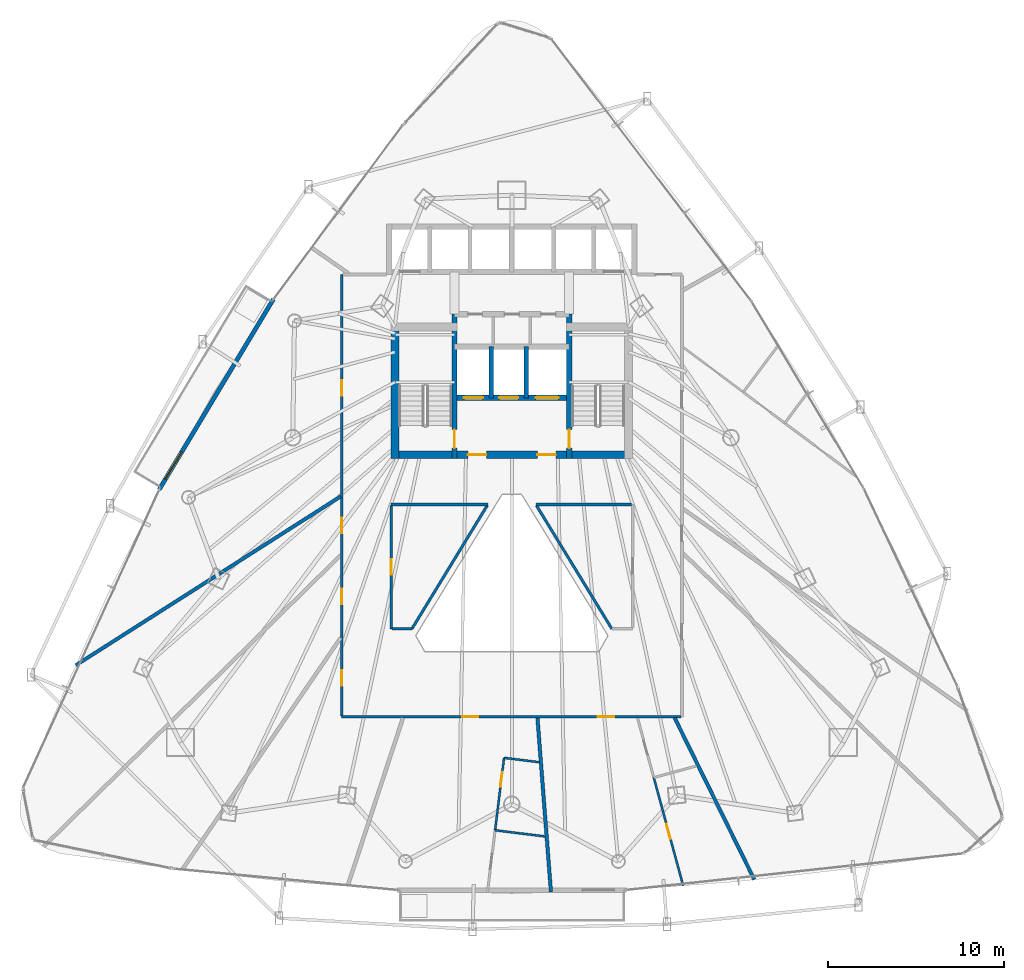
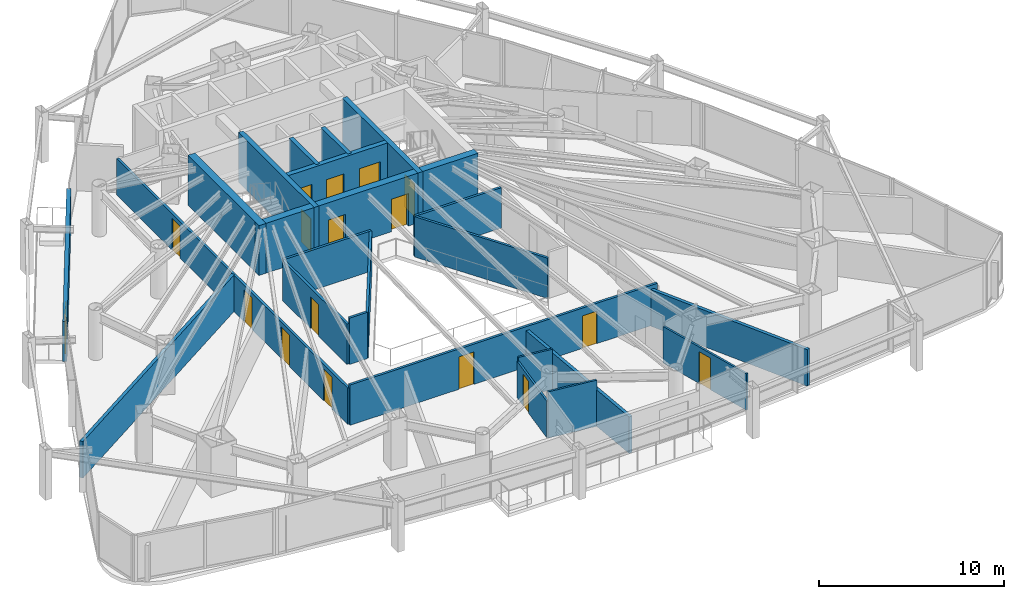
# One storey, part 29 of 34: 23 walls, 17 doors, 17 openings.
"""IFC4 building model written with IfcOpenShell, lengths in metres."""

from ifc_helpers import new_model, si_unit, direction, frame, frame_2d, origin, place, context, subcontext, project, spatial, rectangle, extrude, material, layer, layer_set, type_object, element, fill, save


model = new_model("IFC4")

# Units and contexts
model_context = context("Model", 3, precision=1e-05, world=origin(), true_north=direction((0.0, 1.0)))
body_context = subcontext(model_context, "Body", "Model", "MODEL_VIEW")
ifc_project = project(units=[si_unit("LENGTHUNIT", "METRE"), si_unit("AREAUNIT", "SQUARE_METRE"), si_unit("VOLUMEUNIT", "CUBIC_METRE"), si_unit("PLANEANGLEUNIT", "RADIAN"), si_unit("MASSUNIT", "GRAM", prefix="KILO")], contexts=[model_context])

# Site, building, storey
site_placement = place(None, origin())
site = spatial("IfcSite", under=ifc_project, at=site_placement, CompositionType="ELEMENT")
building_placement = place(site_placement, origin())
building = spatial("IfcBuilding", under=site, at=building_placement, Name="Orvanel Arch Residences", CompositionType="ELEMENT")
storey_placement = place(building_placement, frame((0.0, 0.0, 64.25)))
storey = spatial("IfcBuildingStorey", under=building, at=storey_placement, Name="L17", CompositionType="ELEMENT", Elevation=64.25)

# Wall, opening, door
ifc_material_1 = material(Name="Precast concrete N50 (50 MPa)", Category="concrete")
ifc_layer_1 = layer(ifc_material_1, 0.239990234375)
ifc_layer_set_1 = layer_set([ifc_layer_1], Name="Precast concrete N50 (50 MPa)")
wall_type_1 = type_object("IfcWallType", Name="EW-BAL-240", PredefinedType="SOLIDWALL", material=ifc_layer_set_1)
wall_1_placement = place(storey_placement, frame((19.472900390625, 35.5009765625, 0.0), z_axis=(0.0, 0.0, 1.0), x_axis=(-0.514333361126, -0.857590341382, 0.0)))
wall_1 = element("IfcWall", 1, at=wall_1_placement, inside=storey, type_object=wall_type_1, Name="L17 Balcony Threshold Wall Face 1", PredefinedType="SOLIDWALL", context=body_context, shape_type="SweptSolid", body=[
    extrude(rectangle(XDim=12.6025390625, YDim=0.239990234375, at=frame_2d((6.30126953125, 0.0))), origin(), (0.0, 0.0, 1.0), 2.6240234375),
])
opening_1_placement = place(wall_1_placement, frame((10.10498046875, 0.0, 0.0)))
opening_1 = element("IfcOpeningElement", 2, at=opening_1_placement, cuts=wall_1, Name="Opening DB-180", PredefinedType="OPENING", context=body_context, shape_type="SweptSolid", body=[
    extrude(rectangle(XDim=1.800048828125, YDim=2.199951171875, at=frame_2d((0.89990234375, 1.10009765625))), frame((0.0, 0.1298828125, 0.0), z_axis=(0.0, -1.0, 0.0), x_axis=(1.0, 0.0, 0.0)), (0.0, 0.0, 1.0), 0.260009765625),
])
ifc_material_2 = material(Name="Bronze-anodised aluminium AA6063-T6", Category="aluminium")
door_type_1 = type_object("IfcDoorType", Name="DR-BAL-1800", OperationType="NOTDEFINED", PredefinedType="DOOR", material=ifc_material_2)
door_1_placement = place(opening_1_placement, origin())
door_1 = element("IfcDoor", 3, at=door_1_placement, inside=storey, type_object=door_type_1, Name="DR-L17-BAL-F1 L17 Planted Balcony Access Door Face 1", OperationType="SINGLE_SWING_LEFT", OverallHeight=2.199951171875, OverallWidth=1.800048828125, PredefinedType="DOOR", context=body_context, shape_type="SweptSolid", body=[
    extrude(rectangle(XDim=1.800048828125, YDim=2.199951171875, at=frame_2d((0.89990234375, 1.10009765625))), frame((0.0, 0.02490234375, 0.0), z_axis=(0.0, -1.0, 0.0), x_axis=(1.0, 0.0, 0.0)), (0.0, 0.0, 1.0), 0.050048828125),
])
fill(opening_1, door_1)

# Walls
ifc_material_3 = material(Name="Concrete N50 (50 MPa)", Category="concrete")
ifc_layer_2 = layer(ifc_material_3, 0.25)
ifc_layer_set_2 = layer_set([ifc_layer_2], Name="Concrete N50 (50 MPa)")
wall_type_2 = type_object("IfcWallType", Name="SW-CORE-250", PredefinedType="SHEAR", material=ifc_layer_set_2)
for number, where, z_axis, x_axis, name in (
    (4, (31.824951171875, 29.89990234375, 0.0), (0.0, 0.0, 1.0), (0.0, 1.0, 0.0), "L17 Emergency Lift Inter-Shaft Wall F12"),
    (5, (33.824951171875, 29.89990234375, 0.0), (0.0, 0.0, 1.0), (0.0, 1.0, 0.0), "L17 Emergency Lift Inter-Shaft Wall F2G"),
):
    element("IfcWall", number, at=place(storey_placement, frame(where, z_axis=z_axis, x_axis=x_axis)), inside=storey, type_object=wall_type_2, Name=name, PredefinedType="SHEAR", context=body_context, shape_type="SweptSolid", body=[
        extrude(rectangle(XDim=2.900146484375, YDim=0.25, at=frame_2d((1.4501953125, 0.0))), origin(), (0.0, 0.0, 1.0), 3.300048828125),
    ])

# Wall, opening, door
ifc_material_4 = material(Name="Concrete S80 (80 MPa)", Category="concrete")
ifc_layer_3 = layer(ifc_material_4, 0.300048828125)
ifc_layer_set_3 = layer_set([ifc_layer_3], Name="Concrete S80 (80 MPa)")
wall_type_3 = type_object("IfcWallType", Name="SW-CORE-300", PredefinedType="SHEAR", material=ifc_layer_set_3)
wall_2_placement = place(storey_placement, frame((29.75, 26.449951171875, 0.0), z_axis=(0.0, 0.0, 1.0), x_axis=(0.0, 1.0, 0.0)))
wall_2 = element("IfcWall", 6, at=wall_2_placement, inside=storey, type_object=wall_type_3, Name="L17 West Inner Core Spine Shear Wall", PredefinedType="SHEAR", context=body_context, shape_type="SweptSolid", body=[
    extrude(rectangle(XDim=8.199951171875, YDim=0.300048828125, at=frame_2d((4.10009765625, 0.0))), origin(), (0.0, 0.0, 1.0), 3.300048828125),
])
opening_2_placement = place(wall_2_placement, frame((0.60009765625, 0.0, 0.0)))
opening_2 = element("IfcOpeningElement", 7, at=opening_2_placement, cuts=wall_2, Name="Opening DF-120", PredefinedType="OPENING", context=body_context, shape_type="SweptSolid", body=[
    extrude(rectangle(XDim=1.050048828125, YDim=2.14990234375, at=frame_2d((0.52490234375, 1.074951171875))), frame((0.0, 0.159912109375, 0.0), z_axis=(0.0, -1.0, 0.0), x_axis=(1.0, 0.0, 0.0)), (0.0, 0.0, 1.0), 0.320068359375),
])
ifc_material_5 = material(Name="Galvanised steel fire-resisting door assembly", Category="steel")
door_type_2 = type_object("IfcDoorType", Name="DR-FD120-1050", OperationType="NOTDEFINED", PredefinedType="DOOR", material=ifc_material_5)
door_2_placement = place(opening_2_placement, origin())
door_2 = element("IfcDoor", 8, at=door_2_placement, inside=storey, type_object=door_type_2, Name="DR-L17-ST1 L17 Stair 1 Fire Door", OperationType="SINGLE_SWING_LEFT", OverallHeight=2.14990234375, OverallWidth=1.050048828125, PredefinedType="DOOR", context=body_context, shape_type="SweptSolid", body=[
    extrude(rectangle(XDim=1.050048828125, YDim=2.14990234375, at=frame_2d((0.52490234375, 1.074951171875))), frame((0.0, 0.02490234375, 0.0), z_axis=(0.0, -1.0, 0.0), x_axis=(1.0, 0.0, 0.0)), (0.0, 0.0, 1.0), 0.050048828125),
])
fill(opening_2, door_2)

wall_3_placement = place(storey_placement, frame((36.25, 26.449951171875, 0.0), z_axis=(0.0, 0.0, 1.0), x_axis=(0.0, 1.0, 0.0)))
wall_3 = element("IfcWall", 9, at=wall_3_placement, inside=storey, type_object=wall_type_3, Name="L17 East Inner Core Spine Shear Wall", PredefinedType="SHEAR", context=body_context, shape_type="SweptSolid", body=[
    extrude(rectangle(XDim=8.199951171875, YDim=0.300048828125, at=frame_2d((4.10009765625, 0.0))), origin(), (0.0, 0.0, 1.0), 3.300048828125),
])
opening_3_placement = place(wall_3_placement, frame((0.60009765625, 0.0, 0.0)))
opening_3 = element("IfcOpeningElement", 10, at=opening_3_placement, cuts=wall_3, Name="Opening DF-120", PredefinedType="OPENING", context=body_context, shape_type="SweptSolid", body=[
    extrude(rectangle(XDim=1.050048828125, YDim=2.14990234375, at=frame_2d((0.52490234375, 1.074951171875))), frame((0.0, 0.159912109375, 0.0), z_axis=(0.0, -1.0, 0.0), x_axis=(1.0, 0.0, 0.0)), (0.0, 0.0, 1.0), 0.320068359375),
])
door_3_placement = place(opening_3_placement, origin())
door_3 = element("IfcDoor", 11, at=door_3_placement, inside=storey, type_object=door_type_2, Name="DR-L17-ST2 L17 Stair 2 Fire Door", OperationType="SINGLE_SWING_RIGHT", OverallHeight=2.14990234375, OverallWidth=1.050048828125, PredefinedType="DOOR", context=body_context, shape_type="SweptSolid", body=[
    extrude(rectangle(XDim=1.050048828125, YDim=2.14990234375, at=frame_2d((0.52490234375, 1.074951171875))), frame((0.0, 0.02490234375, 0.0), z_axis=(0.0, -1.0, 0.0), x_axis=(1.0, 0.0, 0.0)), (0.0, 0.0, 1.0), 0.050048828125),
])
fill(opening_3, door_3)

# Wall, openings, doors
wall_4_placement = place(storey_placement, frame((36.25, 29.89990234375, 0.0), z_axis=(0.0, 0.0, 1.0), x_axis=(-1.0, 0.0, 0.0)))
wall_4 = element("IfcWall", 12, at=wall_4_placement, inside=storey, type_object=wall_type_3, Name="L17 Emergency Lift Front Core Shear Wall", PredefinedType="SHEAR", context=body_context, shape_type="SweptSolid", body=[
    extrude(rectangle(XDim=6.5, YDim=0.300048828125, at=frame_2d((3.25, 0.0))), origin(), (0.0, 0.0, 1.0), 3.300048828125),
])
opening_4_placement = place(wall_4_placement, frame((4.875, 0.0, 0.0)))
opening_4 = element("IfcOpeningElement", 13, at=opening_4_placement, cuts=wall_4, Name="Opening LD-110", PredefinedType="OPENING", context=body_context, shape_type="SweptSolid", body=[
    extrude(rectangle(XDim=1.10009765625, YDim=2.199951171875, at=frame_2d((0.550048828125, 1.10009765625))), frame((0.0, 0.159912109375, 0.0), z_axis=(0.0, -1.0, 0.0), x_axis=(1.0, 0.0, 0.0)), (0.0, 0.0, 1.0), 0.320068359375),
])
opening_5_placement = place(wall_4_placement, frame((2.875, 0.0, 0.0)))
opening_5 = element("IfcOpeningElement", 14, at=opening_5_placement, cuts=wall_4, Name="Opening LD-110", PredefinedType="OPENING", context=body_context, shape_type="SweptSolid", body=[
    extrude(rectangle(XDim=1.10009765625, YDim=2.199951171875, at=frame_2d((0.550048828125, 1.10009765625))), frame((0.0, 0.159912109375, 0.0), z_axis=(0.0, -1.0, 0.0), x_axis=(1.0, 0.0, 0.0)), (0.0, 0.0, 1.0), 0.320068359375),
])
opening_6_placement = place(wall_4_placement, frame((0.60009765625, 0.0, 0.0)))
opening_6 = element("IfcOpeningElement", 15, at=opening_6_placement, cuts=wall_4, Name="Opening LD-130", PredefinedType="OPENING", context=body_context, shape_type="SweptSolid", body=[
    extrude(rectangle(XDim=1.300048828125, YDim=2.199951171875, at=frame_2d((0.64990234375, 1.10009765625))), frame((0.0, 0.159912109375, 0.0), z_axis=(0.0, -1.0, 0.0), x_axis=(1.0, 0.0, 0.0)), (0.0, 0.0, 1.0), 0.320068359375),
])
door_type_3 = type_object("IfcDoorType", Name="DR-LFT-1100", OperationType="NOTDEFINED", PredefinedType="DOOR", material=ifc_material_5)
door_4_placement = place(opening_4_placement, origin())
door_4 = element("IfcDoor", 16, at=door_4_placement, inside=storey, type_object=door_type_3, Name="LD-F1-L17 L17 Lift F1 Sliding Landing Door", OperationType="DOUBLE_DOOR_SLIDING", OverallHeight=2.199951171875, OverallWidth=1.10009765625, PredefinedType="DOOR", context=body_context, shape_type="SweptSolid", body=[
    extrude(rectangle(XDim=1.10009765625, YDim=2.199951171875, at=frame_2d((0.550048828125, 1.10009765625))), frame((0.0, 0.02490234375, 0.0), z_axis=(0.0, -1.0, 0.0), x_axis=(1.0, 0.0, 0.0)), (0.0, 0.0, 1.0), 0.050048828125),
])
fill(opening_4, door_4)
door_5_placement = place(opening_5_placement, origin())
door_5 = element("IfcDoor", 17, at=door_5_placement, inside=storey, type_object=door_type_3, Name="LD-F2-L17 L17 Lift F2 Sliding Landing Door", OperationType="DOUBLE_DOOR_SLIDING", OverallHeight=2.199951171875, OverallWidth=1.10009765625, PredefinedType="DOOR", context=body_context, shape_type="SweptSolid", body=[
    extrude(rectangle(XDim=1.10009765625, YDim=2.199951171875, at=frame_2d((0.550048828125, 1.10009765625))), frame((0.0, 0.02490234375, 0.0), z_axis=(0.0, -1.0, 0.0), x_axis=(1.0, 0.0, 0.0)), (0.0, 0.0, 1.0), 0.050048828125),
])
fill(opening_5, door_5)
door_type_4 = type_object("IfcDoorType", Name="DR-LFT-1300", OperationType="NOTDEFINED", PredefinedType="DOOR", material=ifc_material_5)
door_6_placement = place(opening_6_placement, origin())
door_6 = element("IfcDoor", 18, at=door_6_placement, inside=storey, type_object=door_type_4, Name="LD-G1-L17 L17 Lift G1 Sliding Landing Door", OperationType="DOUBLE_DOOR_SLIDING", OverallHeight=2.199951171875, OverallWidth=1.300048828125, PredefinedType="DOOR", context=body_context, shape_type="SweptSolid", body=[
    extrude(rectangle(XDim=1.300048828125, YDim=2.199951171875, at=frame_2d((0.64990234375, 1.10009765625))), frame((0.0, 0.02490234375, 0.0), z_axis=(0.0, -1.0, 0.0), x_axis=(1.0, 0.0, 0.0)), (0.0, 0.0, 1.0), 0.050048828125),
])
fill(opening_6, door_6)

ifc_layer_4 = layer(ifc_material_4, 0.449951171875)
ifc_layer_set_4 = layer_set([ifc_layer_4], Name="Concrete S80 (80 MPa)")
wall_type_4 = type_object("IfcWallType", Name="SW-CORE-450", PredefinedType="SHEAR", material=ifc_layer_set_4)
wall_5_placement = place(storey_placement, frame((26.14990234375, 26.675048828125, 0.0), z_axis=(0.0, 0.0, 1.0), x_axis=(1.0, 0.0, 0.0)))
wall_5 = element("IfcWall", 19, at=wall_5_placement, inside=storey, type_object=wall_type_4, Name="L17 South Core Shear Wall", PredefinedType="SHEAR", context=body_context, shape_type="SweptSolid", body=[
    extrude(rectangle(XDim=13.7001953125, YDim=0.449951171875, at=frame_2d((6.85009765625, 0.0))), origin(), (0.0, 0.0, 1.0), 3.300048828125),
])
opening_7_placement = place(wall_5_placement, frame((4.35009765625, 0.0, 0.0)))
opening_7 = element("IfcOpeningElement", 20, at=opening_7_placement, cuts=wall_5, Name="Opening DF-060", PredefinedType="OPENING", context=body_context, shape_type="SweptSolid", body=[
    extrude(rectangle(XDim=1.050048828125, YDim=2.14990234375, at=frame_2d((0.52490234375, 1.074951171875))), frame((0.0, 0.23486328125, 0.0), z_axis=(0.0, -1.0, 0.0), x_axis=(1.0, 0.0, 0.0)), (0.0, 0.0, 1.0), 0.469970703125),
])
opening_8_placement = place(wall_5_placement, frame((8.300048828125, 0.0, 0.0)))
opening_8 = element("IfcOpeningElement", 21, at=opening_8_placement, cuts=wall_5, Name="Opening DF-060", PredefinedType="OPENING", context=body_context, shape_type="SweptSolid", body=[
    extrude(rectangle(XDim=1.050048828125, YDim=2.14990234375, at=frame_2d((0.52490234375, 1.074951171875))), frame((0.0, 0.23486328125, 0.0), z_axis=(0.0, -1.0, 0.0), x_axis=(1.0, 0.0, 0.0)), (0.0, 0.0, 1.0), 0.469970703125),
])
door_type_5 = type_object("IfcDoorType", Name="DR-FD60-1050", OperationType="NOTDEFINED", PredefinedType="DOOR", material=ifc_material_5)
door_7_placement = place(opening_7_placement, origin())
door_7 = element("IfcDoor", 22, at=door_7_placement, inside=storey, type_object=door_type_5, Name="DR-L17-FFL-W L17 West Smoke Lobby Door", OperationType="SINGLE_SWING_LEFT", OverallHeight=2.14990234375, OverallWidth=1.050048828125, PredefinedType="DOOR", context=body_context, shape_type="SweptSolid", body=[
    extrude(rectangle(XDim=1.050048828125, YDim=2.14990234375, at=frame_2d((0.52490234375, 1.074951171875))), frame((0.0, 0.02490234375, 0.0), z_axis=(0.0, -1.0, 0.0), x_axis=(1.0, 0.0, 0.0)), (0.0, 0.0, 1.0), 0.050048828125),
])
fill(opening_7, door_7)
door_8_placement = place(opening_8_placement, origin())
door_8 = element("IfcDoor", 23, at=door_8_placement, inside=storey, type_object=door_type_5, Name="DR-L17-FFL-E L17 East Smoke Lobby Door", OperationType="SINGLE_SWING_RIGHT", OverallHeight=2.14990234375, OverallWidth=1.050048828125, PredefinedType="DOOR", context=body_context, shape_type="SweptSolid", body=[
    extrude(rectangle(XDim=1.050048828125, YDim=2.14990234375, at=frame_2d((0.52490234375, 1.074951171875))), frame((0.0, 0.02490234375, 0.0), z_axis=(0.0, -1.0, 0.0), x_axis=(1.0, 0.0, 0.0)), (0.0, 0.0, 1.0), 0.050048828125),
])
fill(opening_8, door_8)

# Wall
wall_6_placement = place(storey_placement, frame((26.375, 26.449951171875, 0.0), z_axis=(0.0, 0.0, 1.0), x_axis=(0.0, 1.0, 0.0)))
element("IfcWall", 24, at=wall_6_placement, inside=storey, type_object=wall_type_4, Name="L17 West Stair Shear Wall", PredefinedType="SHEAR", context=body_context, shape_type="SweptSolid", body=[
    extrude(rectangle(XDim=7.699951171875, YDim=0.449951171875, at=frame_2d((3.85009765625, 0.0))), origin(), (0.0, 0.0, 1.0), 3.300048828125),
])

# Wall, openings, doors
ifc_material_6 = material(Name="Fire-rated plasterboard lined steel stud partition", Category="steel")
ifc_layer_5 = layer(ifc_material_6, 0.14990234375)
ifc_layer_set_5 = layer_set([ifc_layer_5], Name="Fire-rated plasterboard lined steel stud partition")
wall_type_5 = type_object("IfcWallType", Name="W-COR-150", PredefinedType="PARTITIONING", material=ifc_layer_set_5)
wall_7_placement = place(storey_placement, frame((42.590087890625, 11.800048828125, 0.0), z_axis=(0.0, 0.0, 1.0), x_axis=(-1.0, 0.0, 0.0)))
wall_7 = element("IfcWall", 25, at=wall_7_placement, inside=storey, type_object=wall_type_5, Name="L17 Corridor Fire-Rated Partition", PredefinedType="PARTITIONING", context=body_context, shape_type="SweptSolid", body=[
    extrude(rectangle(XDim=19.239990234375, YDim=0.14990234375, at=frame_2d((9.6201171875, 0.0))), origin(), (0.0, 0.0, 1.0), 2.6689453125),
])
opening_9_placement = place(wall_7_placement, frame((11.489013671875, 0.0, 0.0)))
opening_9 = element("IfcOpeningElement", 26, at=opening_9_placement, cuts=wall_7, Name="Opening DA-092", PredefinedType="OPENING", context=body_context, shape_type="SweptSolid", body=[
    extrude(rectangle(XDim=0.919921875, YDim=2.14990234375, at=frame_2d((0.4599609375, 1.074951171875))), frame((0.0, 0.0849609375, 0.0), z_axis=(0.0, -1.0, 0.0), x_axis=(1.0, 0.0, 0.0)), (0.0, 0.0, 1.0), 0.169921875),
])
opening_10_placement = place(wall_7_placement, frame((3.787109375, 0.0, 0.0)))
opening_10 = element("IfcOpeningElement", 27, at=opening_10_placement, cuts=wall_7, Name="Opening DA-092", PredefinedType="OPENING", context=body_context, shape_type="SweptSolid", body=[
    extrude(rectangle(XDim=0.919921875, YDim=2.14990234375, at=frame_2d((0.4599609375, 1.074951171875))), frame((0.0, 0.0849609375, 0.0), z_axis=(0.0, -1.0, 0.0), x_axis=(1.0, 0.0, 0.0)), (0.0, 0.0, 1.0), 0.169921875),
])
ifc_material_7 = material(Name="Solid-core European oak veneer fire door leaf", Category="wood")
door_type_6 = type_object("IfcDoorType", Name="DR-APT-920", OperationType="NOTDEFINED", PredefinedType="DOOR", material=ifc_material_7)
door_9_placement = place(opening_9_placement, origin())
door_9 = element("IfcDoor", 28, at=door_9_placement, inside=storey, type_object=door_type_6, Name="DR-L17-G-ENT L17 Studio G Entrance Door", OperationType="SINGLE_SWING_RIGHT", OverallHeight=2.14990234375, OverallWidth=0.919921875, PredefinedType="DOOR", context=body_context, shape_type="SweptSolid", body=[
    extrude(rectangle(XDim=0.919921875, YDim=2.14990234375, at=frame_2d((0.4599609375, 1.074951171875))), frame((0.0, 0.02490234375, 0.0), z_axis=(0.0, -1.0, 0.0), x_axis=(1.0, 0.0, 0.0)), (0.0, 0.0, 1.0), 0.050048828125),
])
fill(opening_9, door_9)
door_10_placement = place(opening_10_placement, origin())
door_10 = element("IfcDoor", 29, at=door_10_placement, inside=storey, type_object=door_type_6, Name="DR-L17-H-ENT L17 Studio H Entrance Door", OperationType="SINGLE_SWING_LEFT", OverallHeight=2.14990234375, OverallWidth=0.919921875, PredefinedType="DOOR", context=body_context, shape_type="SweptSolid", body=[
    extrude(rectangle(XDim=0.919921875, YDim=2.14990234375, at=frame_2d((0.4599609375, 1.074951171875))), frame((0.0, 0.02490234375, 0.0), z_axis=(0.0, -1.0, 0.0), x_axis=(1.0, 0.0, 0.0)), (0.0, 0.0, 1.0), 0.050048828125),
])
fill(opening_10, door_10)

wall_8_placement = place(storey_placement, frame((23.35009765625, 11.860107421875, 0.0), z_axis=(0.0, 0.0, 1.0), x_axis=(0.0, 1.0, 0.0)))
wall_8 = element("IfcWall", 30, at=wall_8_placement, inside=storey, type_object=wall_type_5, Name="L17 Corridor Fire-Rated Partition", PredefinedType="PARTITIONING", context=body_context, shape_type="SweptSolid", body=[
    extrude(rectangle(XDim=25.039794921875, YDim=0.14990234375, at=frame_2d((12.52001953125, 0.0))), origin(), (0.0, 0.0, 1.0), 2.4130859375),
])
opening_11_placement = place(wall_8_placement, frame((18.154052734375, 0.0, 0.0)))
opening_11 = element("IfcOpeningElement", 31, at=opening_11_placement, cuts=wall_8, Name="Opening DI-088", PredefinedType="OPENING", context=body_context, shape_type="SweptSolid", body=[
    extrude(rectangle(XDim=0.8798828125, YDim=2.10009765625, at=frame_2d((0.43994140625, 1.050048828125))), frame((0.0, 0.0849609375, 0.0), z_axis=(0.0, -1.0, 0.0), x_axis=(1.0, 0.0, 0.0)), (0.0, 0.0, 1.0), 0.169921875),
])
opening_12_placement = place(wall_8_placement, frame((10.345947265625, 0.0, 0.0)))
opening_12 = element("IfcOpeningElement", 32, at=opening_12_placement, cuts=wall_8, Name="Opening DI-088", PredefinedType="OPENING", context=body_context, shape_type="SweptSolid", body=[
    extrude(rectangle(XDim=0.8798828125, YDim=2.10009765625, at=frame_2d((0.43994140625, 1.050048828125))), frame((0.0, 0.0849609375, 0.0), z_axis=(0.0, -1.0, 0.0), x_axis=(1.0, 0.0, 0.0)), (0.0, 0.0, 1.0), 0.169921875),
])
opening_13_placement = place(wall_8_placement, frame((6.320068359375, 0.0, 0.0)))
opening_13 = element("IfcOpeningElement", 33, at=opening_13_placement, cuts=wall_8, Name="Opening DI-088", PredefinedType="OPENING", context=body_context, shape_type="SweptSolid", body=[
    extrude(rectangle(XDim=0.8798828125, YDim=2.10009765625, at=frame_2d((0.43994140625, 1.050048828125))), frame((0.0, 0.0849609375, 0.0), z_axis=(0.0, -1.0, 0.0), x_axis=(1.0, 0.0, 0.0)), (0.0, 0.0, 1.0), 0.169921875),
])
opening_14_placement = place(wall_8_placement, frame((1.718994140625, 0.0, 0.0)))
opening_14 = element("IfcOpeningElement", 34, at=opening_14_placement, cuts=wall_8, Name="Opening DI-088", PredefinedType="OPENING", context=body_context, shape_type="SweptSolid", body=[
    extrude(rectangle(XDim=0.8798828125, YDim=2.10009765625, at=frame_2d((0.43994140625, 1.050048828125))), frame((0.0, 0.0849609375, 0.0), z_axis=(0.0, -1.0, 0.0), x_axis=(1.0, 0.0, 0.0)), (0.0, 0.0, 1.0), 0.169921875),
])
door_type_7 = type_object("IfcDoorType", Name="DR-INT-880", OperationType="NOTDEFINED", PredefinedType="DOOR", material=ifc_material_7)
door_11_placement = place(opening_11_placement, origin())
door_11 = element("IfcDoor", 35, at=door_11_placement, inside=storey, type_object=door_type_7, Name="DR-L17-SHRD-FB4 L17 Co-Working Study Office D Door", OperationType="SINGLE_SWING_LEFT", OverallHeight=2.10009765625, OverallWidth=0.8798828125, PredefinedType="DOOR", context=body_context, shape_type="SweptSolid", body=[
    extrude(rectangle(XDim=0.8798828125, YDim=2.10009765625, at=frame_2d((0.43994140625, 1.050048828125))), frame((0.0, 0.02490234375, 0.0), z_axis=(0.0, -1.0, 0.0), x_axis=(1.0, 0.0, 0.0)), (0.0, 0.0, 1.0), 0.050048828125),
])
fill(opening_11, door_11)
door_12_placement = place(opening_12_placement, origin())
door_12 = element("IfcDoor", 36, at=door_12_placement, inside=storey, type_object=door_type_7, Name="DR-L17-SHRD-FB5 L17 Co-Working Study Office E Door", OperationType="SINGLE_SWING_LEFT", OverallHeight=2.10009765625, OverallWidth=0.8798828125, PredefinedType="DOOR", context=body_context, shape_type="SweptSolid", body=[
    extrude(rectangle(XDim=0.8798828125, YDim=2.10009765625, at=frame_2d((0.43994140625, 1.050048828125))), frame((0.0, 0.02490234375, 0.0), z_axis=(0.0, -1.0, 0.0), x_axis=(1.0, 0.0, 0.0)), (0.0, 0.0, 1.0), 0.050048828125),
])
fill(opening_12, door_12)
door_13_placement = place(opening_13_placement, origin())
door_13 = element("IfcDoor", 37, at=door_13_placement, inside=storey, type_object=door_type_7, Name="DR-L17-SHRD-FB6 L17 Co-Working Study Office F Door", OperationType="SINGLE_SWING_LEFT", OverallHeight=2.10009765625, OverallWidth=0.8798828125, PredefinedType="DOOR", context=body_context, shape_type="SweptSolid", body=[
    extrude(rectangle(XDim=0.8798828125, YDim=2.10009765625, at=frame_2d((0.43994140625, 1.050048828125))), frame((0.0, 0.02490234375, 0.0), z_axis=(0.0, -1.0, 0.0), x_axis=(1.0, 0.0, 0.0)), (0.0, 0.0, 1.0), 0.050048828125),
])
fill(opening_13, door_13)
door_14_placement = place(opening_14_placement, origin())
door_14 = element("IfcDoor", 38, at=door_14_placement, inside=storey, type_object=door_type_7, Name="DR-L17-SHRD-FB10 L17 Co-Working Study Office J Door", OperationType="SINGLE_SWING_LEFT", OverallHeight=2.10009765625, OverallWidth=0.8798828125, PredefinedType="DOOR", context=body_context, shape_type="SweptSolid", body=[
    extrude(rectangle(XDim=0.8798828125, YDim=2.10009765625, at=frame_2d((0.43994140625, 1.050048828125))), frame((0.0, 0.02490234375, 0.0), z_axis=(0.0, -1.0, 0.0), x_axis=(1.0, 0.0, 0.0)), (0.0, 0.0, 1.0), 0.050048828125),
])
fill(opening_14, door_14)

# Wall
wall_9_placement = place(storey_placement, frame((31.636962890625, 23.85009765625, 0.0), z_axis=(0.0, 0.0, 1.0), x_axis=(-1.0, 0.0, 0.0)))
element("IfcWall", 39, at=wall_9_placement, inside=storey, type_object=wall_type_5, Name="L17 Corridor Fire-Rated Partition", PredefinedType="PARTITIONING", context=body_context, shape_type="SweptSolid", body=[
    extrude(rectangle(XDim=5.487060546875, YDim=0.14990234375, at=frame_2d((2.74365234375, 0.0))), origin(), (0.0, 0.0, 1.0), 2.6689453125),
])

# Wall, opening, door
wall_10_placement = place(storey_placement, frame((26.14990234375, 23.7900390625, 0.0), z_axis=(0.0, 0.0, 1.0), x_axis=(0.0, -1.0, 0.0)))
wall_10 = element("IfcWall", 40, at=wall_10_placement, inside=storey, type_object=wall_type_5, Name="L17 Corridor Fire-Rated Partition", PredefinedType="PARTITIONING", context=body_context, shape_type="SweptSolid", body=[
    extrude(rectangle(XDim=6.989990234375, YDim=0.14990234375, at=frame_2d((3.4951171875, 0.0))), origin(), (0.0, 0.0, 1.0), 2.6689453125),
])
opening_15_placement = place(wall_10_placement, frame((3.054931640625, 0.0, 0.0)))
opening_15 = element("IfcOpeningElement", 41, at=opening_15_placement, cuts=wall_10, Name="Opening DI-088", PredefinedType="OPENING", context=body_context, shape_type="SweptSolid", body=[
    extrude(rectangle(XDim=0.8798828125, YDim=2.10009765625, at=frame_2d((0.43994140625, 1.050048828125))), frame((0.0, 0.0849609375, 0.0), z_axis=(0.0, -1.0, 0.0), x_axis=(1.0, 0.0, 0.0)), (0.0, 0.0, 1.0), 0.169921875),
])
door_15_placement = place(opening_15_placement, origin())
door_15 = element("IfcDoor", 42, at=door_15_placement, inside=storey, type_object=door_type_7, Name="DR-L17-SHRD-FB12 L17 Co-Working Study Office L Door", OperationType="SINGLE_SWING_LEFT", OverallHeight=2.10009765625, OverallWidth=0.8798828125, PredefinedType="DOOR", context=body_context, shape_type="SweptSolid", body=[
    extrude(rectangle(XDim=0.8798828125, YDim=2.10009765625, at=frame_2d((0.43994140625, 1.050048828125))), frame((0.0, 0.02490234375, 0.0), z_axis=(0.0, -1.0, 0.0), x_axis=(1.0, 0.0, 0.0)), (0.0, 0.0, 1.0), 0.050048828125),
])
fill(opening_15, door_15)

# Walls
wall_11_placement = place(storey_placement, frame((26.2099609375, 16.800048828125, 0.0), z_axis=(0.0, 0.0, 1.0), x_axis=(1.0, 0.0, 0.0)))
element("IfcWall", 43, at=wall_11_placement, inside=storey, type_object=wall_type_5, Name="L17 Corridor Fire-Rated Partition", PredefinedType="PARTITIONING", context=body_context, shape_type="SweptSolid", body=[
    extrude(rectangle(XDim=1.116943359375, YDim=0.14990234375, at=frame_2d((0.55859375, 0.0))), origin(), (0.0, 0.0, 1.0), 3.06005859375),
])
wall_12_placement = place(storey_placement, frame((39.7900390625, 23.85009765625, 0.0), z_axis=(0.0, 0.0, 1.0), x_axis=(-1.0, 0.0, 0.0)))
element("IfcWall", 44, at=wall_12_placement, inside=storey, type_object=wall_type_5, Name="L17 Corridor Fire-Rated Partition", PredefinedType="PARTITIONING", context=body_context, shape_type="SweptSolid", body=[
    extrude(rectangle(XDim=5.427001953125, YDim=0.14990234375, at=frame_2d((2.71337890625, 0.0))), origin(), (0.0, 0.0, 1.0), 2.6689453125),
])
wall_13_placement = place(storey_placement, frame((27.326904296875, 16.7900390625, 0.0), z_axis=(0.0, 0.0, 1.0), x_axis=(0.521129693902, 0.853477499489, 0.0)))
element("IfcWall", 45, at=wall_13_placement, inside=storey, type_object=wall_type_5, Name="L17 Atrium Overlook Glazed Partition", PredefinedType="PARTITIONING", context=body_context, shape_type="SweptSolid", body=[
    extrude(rectangle(XDim=8.20166015625, YDim=0.14990234375, at=frame_2d((4.100830078125, 0.0))), origin(), (0.0, 0.0, 1.0), 2.6689453125),
])
wall_14_placement = place(storey_placement, frame((34.39892578125, 23.7900390625, 0.0), z_axis=(0.0, 0.0, 1.0), x_axis=(0.521619930676, -0.853177969665, 0.0)))
element("IfcWall", 46, at=wall_14_placement, inside=storey, type_object=wall_type_5, Name="L17 Atrium Overlook Glazed Partition", PredefinedType="PARTITIONING", context=body_context, shape_type="SweptSolid", body=[
    extrude(rectangle(XDim=8.194091796875, YDim=0.14990234375, at=frame_2d((4.09716796875, 0.0))), origin(), (0.0, 0.0, 1.0), 2.6689453125),
])
ifc_layer_6 = layer(ifc_material_6, 0.199951171875)
ifc_layer_set_6 = layer_set([ifc_layer_6], Name="Fire-rated plasterboard lined steel stud partition")
wall_type_6 = type_object("IfcWallType", Name="W-DEM-200", PredefinedType="PARTITIONING", material=ifc_layer_set_6)
wall_15_placement = place(storey_placement, frame((46.75390625, 2.575927734375, 0.0), z_axis=(0.0, 0.0, 1.0), x_axis=(-0.441871352221, 0.897078429172, 0.0)))
element("IfcWall", 47, at=wall_15_placement, inside=storey, type_object=wall_type_6, Name="L17 Inter-Tenancy Acoustic Demising Wall", PredefinedType="PARTITIONING", context=body_context, shape_type="SweptSolid", body=[
    extrude(rectangle(XDim=10.21533203125, YDim=0.199951171875, at=frame_2d((5.107666015625, 0.0))), origin(), (0.0, 0.0, 1.0), 2.4130859375),
])
wall_16_placement = place(storey_placement, frame((23.2900390625, 24.31005859375, 0.0), z_axis=(0.0, 0.0, 1.0), x_axis=(-0.843217726059, -0.537572196509, 0.0)))
element("IfcWall", 48, at=wall_16_placement, inside=storey, type_object=wall_type_6, Name="L17 Inter-Tenancy Acoustic Demising Wall", PredefinedType="PARTITIONING", context=body_context, shape_type="SweptSolid", body=[
    extrude(rectangle(XDim=17.8173828125, YDim=0.199951171875, at=frame_2d((8.90869140625, 0.0))), origin(), (0.0, 0.0, 1.0), 2.4130859375),
])
wall_17_placement = place(storey_placement, frame((34.4541015625, 11.739990234375, 0.0), z_axis=(0.0, 0.0, 1.0), x_axis=(0.077354581403, -0.997003645297, 0.0)))
element("IfcWall", 49, at=wall_17_placement, inside=storey, type_object=wall_type_6, Name="L17 Inter-Tenancy Acoustic Demising Wall", PredefinedType="PARTITIONING", context=body_context, shape_type="SweptSolid", body=[
    extrude(rectangle(XDim=9.90087890625, YDim=0.199951171875, at=frame_2d((4.950439453125, 0.0))), origin(), (0.0, 0.0, 1.0), 2.4130859375),
])
ifc_material_8 = material(Name="Acoustic plasterboard lined twin-stud partition", Category="gypsum")
ifc_layer_7 = layer(ifc_material_8, 0.1201171875)
ifc_layer_set_7 = layer_set([ifc_layer_7], Name="Acoustic plasterboard lined twin-stud partition")
wall_type_7 = type_object("IfcWallType", Name="W-WET-120", PredefinedType="PARTITIONING", material=ifc_layer_set_7)
wall_18_placement = place(storey_placement, frame((34.56298828125, 9.23095703125, 0.0), z_axis=(0.0, 0.0, 1.0), x_axis=(-0.992492062854, 0.122309055968, 0.0)))
element("IfcWall", 50, at=wall_18_placement, inside=storey, type_object=wall_type_7, Name="L17 Studio G Bathroom Partition", PredefinedType="PARTITIONING", context=body_context, shape_type="SweptSolid", body=[
    extrude(rectangle(XDim=2.02001953125, YDim=0.1201171875, at=frame_2d((1.010009765625, 0.0))), origin(), (0.0, 0.0, 1.0), 2.6689453125),
])

# Wall, opening, door
wall_19_placement = place(storey_placement, frame((32.55810546875, 9.47802734375, 0.0), z_axis=(0.0, 0.0, 1.0), x_axis=(-0.122474226657, -0.992471694208, 0.0)))
wall_19 = element("IfcWall", 51, at=wall_19_placement, inside=storey, type_object=wall_type_7, Name="L17 Studio G Bathroom Partition", PredefinedType="PARTITIONING", context=body_context, shape_type="SweptSolid", body=[
    extrude(rectangle(XDim=4.140380859375, YDim=0.1201171875, at=frame_2d((2.0703125, 0.0))), origin(), (0.0, 0.0, 1.0), 2.4130859375),
])
opening_16_placement = place(wall_19_placement, frame((0.81591796875, 0.0, 0.0)))
opening_16 = element("IfcOpeningElement", 52, at=opening_16_placement, cuts=wall_19, Name="Opening DW-082", PredefinedType="OPENING", context=body_context, shape_type="SweptSolid", body=[
    extrude(rectangle(XDim=0.820068359375, YDim=2.10009765625, at=frame_2d((0.41015625, 1.050048828125))), frame((0.0, 0.070068359375, 0.0), z_axis=(0.0, -1.0, 0.0), x_axis=(1.0, 0.0, 0.0)), (0.0, 0.0, 1.0), 0.14013671875),
])
door_type_8 = type_object("IfcDoorType", Name="DR-WET-820", OperationType="NOTDEFINED", PredefinedType="DOOR", material=ifc_material_7)
door_16_placement = place(opening_16_placement, origin())
door_16 = element("IfcDoor", 53, at=door_16_placement, inside=storey, type_object=door_type_8, Name="DR-L17-G-BATH L17 Studio G Bathroom Door", OperationType="SINGLE_SWING_RIGHT", OverallHeight=2.10009765625, OverallWidth=0.820068359375, PredefinedType="DOOR", context=body_context, shape_type="SweptSolid", body=[
    extrude(rectangle(XDim=0.820068359375, YDim=2.10009765625, at=frame_2d((0.41015625, 1.050048828125))), frame((0.0, 0.02490234375, 0.0), z_axis=(0.0, -1.0, 0.0), x_axis=(1.0, 0.0, 0.0)), (0.0, 0.0, 1.0), 0.050048828125),
])
fill(opening_16, door_16)

# Wall
wall_20_placement = place(storey_placement, frame((34.889892578125, 5.01904296875, 0.0), z_axis=(0.0, 0.0, 1.0), x_axis=(-0.992491734807, 0.12231171792, 0.0)))
element("IfcWall", 54, at=wall_20_placement, inside=storey, type_object=wall_type_7, Name="L17 Studio G Bathroom Partition", PredefinedType="PARTITIONING", context=body_context, shape_type="SweptSolid", body=[
    extrude(rectangle(XDim=2.8603515625, YDim=0.1201171875, at=frame_2d((1.43017578125, 0.0))), origin(), (0.0, 0.0, 1.0), 3.06005859375),
])

# Wall, opening, door
wall_21_placement = place(storey_placement, frame((41.052978515625, 8.35791015625, 0.0), z_axis=(0.0, 0.0, 1.0), x_axis=(0.262466446164, -0.964941119778, 0.0)))
wall_21 = element("IfcWall", 55, at=wall_21_placement, inside=storey, type_object=wall_type_7, Name="L17 Studio H Internal Partition", PredefinedType="PARTITIONING", context=body_context, shape_type="SweptSolid", body=[
    extrude(rectangle(XDim=6.34765625, YDim=0.1201171875, at=frame_2d((3.173828125, 0.0))), origin(), (0.0, 0.0, 1.0), 2.4130859375),
])
opening_17_placement = place(wall_21_placement, frame((2.73388671875, 0.0, 0.0)))
opening_17 = element("IfcOpeningElement", 56, at=opening_17_placement, cuts=wall_21, Name="Opening DI-088", PredefinedType="OPENING", context=body_context, shape_type="SweptSolid", body=[
    extrude(rectangle(XDim=0.8798828125, YDim=2.10009765625, at=frame_2d((0.43994140625, 1.050048828125))), frame((0.0, 0.070068359375, 0.0), z_axis=(0.0, -1.0, 0.0), x_axis=(1.0, 0.0, 0.0)), (0.0, 0.0, 1.0), 0.14013671875),
])
door_17_placement = place(opening_17_placement, origin())
door_17 = element("IfcDoor", 57, at=door_17_placement, inside=storey, type_object=door_type_7, Name="DR-L17-H-KIT L17 Studio H Kitchenette Door", OperationType="SINGLE_SWING_LEFT", OverallHeight=2.10009765625, OverallWidth=0.8798828125, PredefinedType="DOOR", context=body_context, shape_type="SweptSolid", body=[
    extrude(rectangle(XDim=0.8798828125, YDim=2.10009765625, at=frame_2d((0.43994140625, 1.050048828125))), frame((0.0, 0.02490234375, 0.0), z_axis=(0.0, -1.0, 0.0), x_axis=(1.0, 0.0, 0.0)), (0.0, 0.0, 1.0), 0.050048828125),
])
fill(opening_17, door_17)

save(model, "model.ifc")
